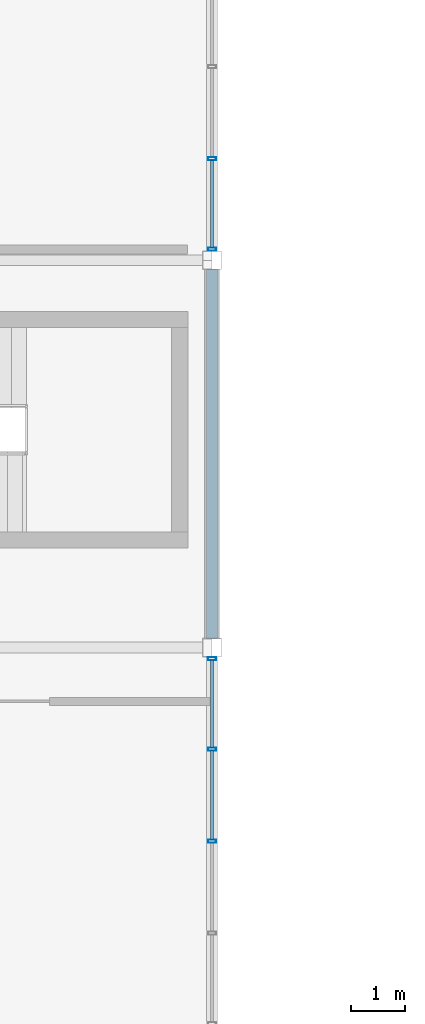
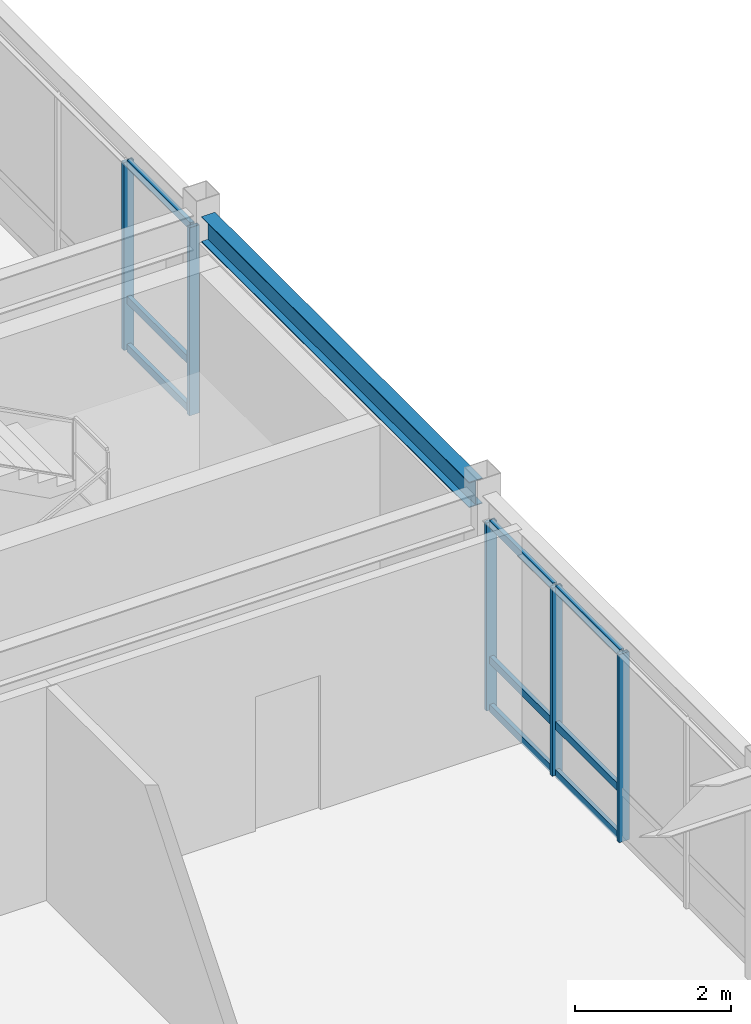
# One storey, part 12 of 34: 14 members, 1 beam, 2 elements without a shape of their own.
"""IFC4 building model written with IfcOpenShell, lengths in metres."""

from ifc_helpers import new_model, si_unit, direction, frame, origin, origin_2d, place, context, subcontext, project, spatial, hollow_rectangle, i_section, extrude, material, material_profile, profile_set, type_object, element, aggregate, save


model = new_model("IFC4")

# Units and contexts
model_context = context("Model", 3, precision=1e-05, world=origin(), true_north=direction((0.0, 1.0)))
body_context = subcontext(model_context, "Body", "Model", "MODEL_VIEW")
ifc_project = project(units=[si_unit("LENGTHUNIT", "METRE"), si_unit("AREAUNIT", "SQUARE_METRE"), si_unit("VOLUMEUNIT", "CUBIC_METRE"), si_unit("PLANEANGLEUNIT", "RADIAN"), si_unit("MASSUNIT", "GRAM", prefix="KILO")], contexts=[model_context])

# Site, building, storey
site_placement = place(None, origin())
site = spatial("IfcSite", under=ifc_project, at=site_placement, CompositionType="ELEMENT")
building_placement = place(site_placement, origin())
building = spatial("IfcBuilding", under=site, at=building_placement, Name="Kazanami Central Library", CompositionType="ELEMENT")
storey_placement = place(building_placement, frame((0.0, 0.0, 17.0)))
storey = spatial("IfcBuildingStorey", under=building, at=storey_placement, Name="L05", CompositionType="ELEMENT", Elevation=17.0)

# Beam
ifc_material_1 = material(Name="Steel SN490B (325 MPa)", Category="steel")
ifc_material_profile_1 = material_profile(ifc_material_1, i_section(OverallWidth=0.199951171875, OverallDepth=0.39990234375, WebThickness=0.008056640625, FlangeThickness=0.012939453125, at=origin_2d()), Name="H-400x200x8x13")
ifc_profile_set_1 = profile_set([ifc_material_profile_1], Name="Steel SN490B (325 MPa)")
beam_type = type_object("IfcBeamType", Name="BM-SP-3", PredefinedType="SPANDREL", material=ifc_profile_set_1)
beam_placement = place(storey_placement, frame((36.0, 79.373046875, 3.139892578125), z_axis=(0.0, 1.0, 0.0), x_axis=(-1.0, 0.0, 0.0)))
element("IfcBeam", 1, at=beam_placement, inside=storey, type_object=beam_type, Name="Girder SP-3 L05 5/M-N", PredefinedType="SPANDREL", context=body_context, shape_type="SweptSolid", body=[
    extrude(i_section(OverallWidth=0.199951171875, OverallDepth=0.39990234375, WebThickness=0.008056640625, FlangeThickness=0.012939453125, at=origin_2d()), origin(), (0.0, 0.0, 1.0), 6.85400390625),
])

# Curtain wall, members
ifc_material_2 = material(Name="Acid-Etched Low-E Laminated Glass", Category="glass")
curtain_wall_type = type_object("IfcCurtainWallType", Name="CW-6850x2940-M180", PredefinedType="USERDEFINED", material=ifc_material_2)
curtain_wall_1_placement = place(storey_placement, origin())
curtain_wall_1 = element("IfcCurtainWall", 2, at=curtain_wall_1_placement, inside=storey, type_object=curtain_wall_type, Name="Covered Link Bridge Curtain Wall CW-52 L05 E-5-10", ObjectType="UNITISED CURTAIN WALL", PredefinedType="USERDEFINED")
ifc_material_3 = material(Name="Anodised Aluminium A6063-T5", Category="aluminium")
ifc_material_profile_2 = material_profile(ifc_material_3, hollow_rectangle(XDim=0.06005859375, YDim=0.14990234375, WallThickness=0.00390625, at=origin_2d()), Name="ALU-MULL-60x150x4")
ifc_profile_set_2 = profile_set([ifc_material_profile_2], Name="Anodised Aluminium A6063-T5")
member_type_1 = type_object("IfcMemberType", Name="MEM-CW-M3", PredefinedType="MULLION", material=ifc_profile_set_2)
member_1_placement = place(storey_placement, frame((36.0, 78.9951171875, 0.0), z_axis=(0.0, 0.0, 1.0), x_axis=(0.0, -1.0, 0.0)))
member_1 = element("IfcMember", 3, at=member_1_placement, type_object=member_type_1, Name="CW-52 mullion 1", PredefinedType="MULLION", context=body_context, shape_type="SweptSolid", body=[
    extrude(hollow_rectangle(XDim=0.06005859375, YDim=0.14990234375, WallThickness=0.00390625, at=origin_2d()), origin(), (0.0, 0.0, 1.0), 2.93994140625),
])
member_2_placement = place(storey_placement, frame((36.0, 77.3125, 0.0), z_axis=(0.0, 0.0, 1.0), x_axis=(0.0, -1.0, 0.0)))
member_2 = element("IfcMember", 4, at=member_2_placement, type_object=member_type_1, Name="CW-52 mullion 2", PredefinedType="MULLION", context=body_context, shape_type="SweptSolid", body=[
    extrude(hollow_rectangle(XDim=0.06005859375, YDim=0.14990234375, WallThickness=0.00390625, at=origin_2d()), origin(), (0.0, 0.0, 1.0), 2.93994140625),
])
member_3_placement = place(storey_placement, frame((36.0, 75.60009765625, 0.0), z_axis=(0.0, 0.0, 1.0), x_axis=(0.0, -1.0, 0.0)))
member_3 = element("IfcMember", 5, at=member_3_placement, type_object=member_type_1, Name="CW-52 mullion 3", PredefinedType="MULLION", context=body_context, shape_type="SweptSolid", body=[
    extrude(hollow_rectangle(XDim=0.06005859375, YDim=0.14990234375, WallThickness=0.00390625, at=origin_2d()), origin(), (0.0, 0.0, 1.0), 2.93994140625),
])

curtain_wall_2_placement = place(storey_placement, origin())
curtain_wall_2 = element("IfcCurtainWall", 6, at=curtain_wall_2_placement, inside=storey, type_object=curtain_wall_type, Name="Covered Link Bridge Curtain Wall CW-52 L05 E-5-12", ObjectType="UNITISED CURTAIN WALL", PredefinedType="USERDEFINED")
member_4_placement = place(storey_placement, frame((36.0, 88.28759765625, 0.0), z_axis=(0.0, 0.0, 1.0), x_axis=(0.0, -1.0, 0.0)))
member_4 = element("IfcMember", 7, at=member_4_placement, type_object=member_type_1, Name="CW-52 mullion 4", PredefinedType="MULLION", context=body_context, shape_type="SweptSolid", body=[
    extrude(hollow_rectangle(XDim=0.06005859375, YDim=0.14990234375, WallThickness=0.00390625, at=origin_2d()), origin(), (0.0, 0.0, 1.0), 2.93994140625),
])
member_5_placement = place(storey_placement, frame((36.0, 86.60498046875, 0.0), z_axis=(0.0, 0.0, 1.0), x_axis=(0.0, -1.0, 0.0)))
member_5 = element("IfcMember", 8, at=member_5_placement, type_object=member_type_1, Name="CW-52 mullion 5", PredefinedType="MULLION", context=body_context, shape_type="SweptSolid", body=[
    extrude(hollow_rectangle(XDim=0.06005859375, YDim=0.14990234375, WallThickness=0.00390625, at=origin_2d()), origin(), (0.0, 0.0, 1.0), 2.93994140625),
])

# Member
ifc_material_profile_3 = material_profile(ifc_material_3, hollow_rectangle(XDim=0.06005859375, YDim=0.1201171875, WallThickness=0.00341796875, at=origin_2d()), Name="ALU-TRAN-60x120x3.5")
ifc_profile_set_3 = profile_set([ifc_material_profile_3], Name="Anodised Aluminium A6063-T5")
member_type_2 = type_object("IfcMemberType", Name="MEM-CW-T3", PredefinedType="USERDEFINED", material=ifc_profile_set_3)
member_6_placement = place(storey_placement, frame((36.0, 78.965087890625, 0.030029296875), z_axis=(0.0, -1.0, 0.0), x_axis=(1.0, 0.0, 0.0)))
member_6 = element("IfcMember", 9, at=member_6_placement, type_object=member_type_2, Name="CW-52 transom 1.1", ObjectType="TRANSOM", PredefinedType="USERDEFINED", context=body_context, shape_type="SweptSolid", body=[
    extrude(hollow_rectangle(XDim=0.06005859375, YDim=0.1201171875, WallThickness=0.00341796875, at=origin_2d()), origin(), (0.0, 0.0, 1.0), 1.62255859375),
])

member_7_placement = place(storey_placement, frame((36.0, 78.965087890625, 0.780029296875), z_axis=(0.0, -1.0, 0.0), x_axis=(1.0, 0.0, 0.0)))
member_7 = element("IfcMember", 10, at=member_7_placement, type_object=member_type_2, Name="CW-52 transom 1.2", ObjectType="TRANSOM", PredefinedType="USERDEFINED", context=body_context, shape_type="SweptSolid", body=[
    extrude(hollow_rectangle(XDim=0.06005859375, YDim=0.1201171875, WallThickness=0.00341796875, at=origin_2d()), origin(), (0.0, 0.0, 1.0), 1.62255859375),
])

member_8_placement = place(storey_placement, frame((36.0, 78.965087890625, 2.909912109375), z_axis=(0.0, -1.0, 0.0), x_axis=(1.0, 0.0, 0.0)))
member_8 = element("IfcMember", 11, at=member_8_placement, type_object=member_type_2, Name="CW-52 transom 1.3", ObjectType="TRANSOM", PredefinedType="USERDEFINED", context=body_context, shape_type="SweptSolid", body=[
    extrude(hollow_rectangle(XDim=0.06005859375, YDim=0.1201171875, WallThickness=0.00341796875, at=origin_2d()), origin(), (0.0, 0.0, 1.0), 1.62255859375),
])

member_9_placement = place(storey_placement, frame((36.0, 77.282470703125, 0.030029296875), z_axis=(0.0, -1.0, 0.0), x_axis=(1.0, 0.0, 0.0)))
member_9 = element("IfcMember", 12, at=member_9_placement, type_object=member_type_2, Name="CW-52 transom 2.1", ObjectType="TRANSOM", PredefinedType="USERDEFINED", context=body_context, shape_type="SweptSolid", body=[
    extrude(hollow_rectangle(XDim=0.06005859375, YDim=0.1201171875, WallThickness=0.00341796875, at=origin_2d()), origin(), (0.0, 0.0, 1.0), 1.652587890625),
])

member_10_placement = place(storey_placement, frame((36.0, 77.282470703125, 0.780029296875), z_axis=(0.0, -1.0, 0.0), x_axis=(1.0, 0.0, 0.0)))
member_10 = element("IfcMember", 13, at=member_10_placement, type_object=member_type_2, Name="CW-52 transom 2.2", ObjectType="TRANSOM", PredefinedType="USERDEFINED", context=body_context, shape_type="SweptSolid", body=[
    extrude(hollow_rectangle(XDim=0.06005859375, YDim=0.1201171875, WallThickness=0.00341796875, at=origin_2d()), origin(), (0.0, 0.0, 1.0), 1.652587890625),
])

member_11_placement = place(storey_placement, frame((36.0, 77.282470703125, 2.909912109375), z_axis=(0.0, -1.0, 0.0), x_axis=(1.0, 0.0, 0.0)))
member_11 = element("IfcMember", 14, at=member_11_placement, type_object=member_type_2, Name="CW-52 transom 2.3", ObjectType="TRANSOM", PredefinedType="USERDEFINED", context=body_context, shape_type="SweptSolid", body=[
    extrude(hollow_rectangle(XDim=0.06005859375, YDim=0.1201171875, WallThickness=0.00341796875, at=origin_2d()), origin(), (0.0, 0.0, 1.0), 1.652587890625),
])

aggregate(curtain_wall_1, [member_1, member_2, member_3, member_6, member_7, member_8, member_9, member_10, member_11])

member_12_placement = place(storey_placement, frame((36.0, 88.257568359375, 0.030029296875), z_axis=(0.0, -1.0, 0.0), x_axis=(1.0, 0.0, 0.0)))
member_12 = element("IfcMember", 15, at=member_12_placement, type_object=member_type_2, Name="CW-52 transom 4.1", ObjectType="TRANSOM", PredefinedType="USERDEFINED", context=body_context, shape_type="SweptSolid", body=[
    extrude(hollow_rectangle(XDim=0.06005859375, YDim=0.1201171875, WallThickness=0.00341796875, at=origin_2d()), origin(), (0.0, 0.0, 1.0), 1.62255859375),
])

member_13_placement = place(storey_placement, frame((36.0, 88.257568359375, 0.780029296875), z_axis=(0.0, -1.0, 0.0), x_axis=(1.0, 0.0, 0.0)))
member_13 = element("IfcMember", 16, at=member_13_placement, type_object=member_type_2, Name="CW-52 transom 4.2", ObjectType="TRANSOM", PredefinedType="USERDEFINED", context=body_context, shape_type="SweptSolid", body=[
    extrude(hollow_rectangle(XDim=0.06005859375, YDim=0.1201171875, WallThickness=0.00341796875, at=origin_2d()), origin(), (0.0, 0.0, 1.0), 1.62255859375),
])

member_14_placement = place(storey_placement, frame((36.0, 88.257568359375, 2.909912109375), z_axis=(0.0, -1.0, 0.0), x_axis=(1.0, 0.0, 0.0)))
member_14 = element("IfcMember", 17, at=member_14_placement, type_object=member_type_2, Name="CW-52 transom 4.3", ObjectType="TRANSOM", PredefinedType="USERDEFINED", context=body_context, shape_type="SweptSolid", body=[
    extrude(hollow_rectangle(XDim=0.06005859375, YDim=0.1201171875, WallThickness=0.00341796875, at=origin_2d()), origin(), (0.0, 0.0, 1.0), 1.62255859375),
])

aggregate(curtain_wall_2, [member_4, member_5, member_12, member_13, member_14])

save(model, "model.ifc")
